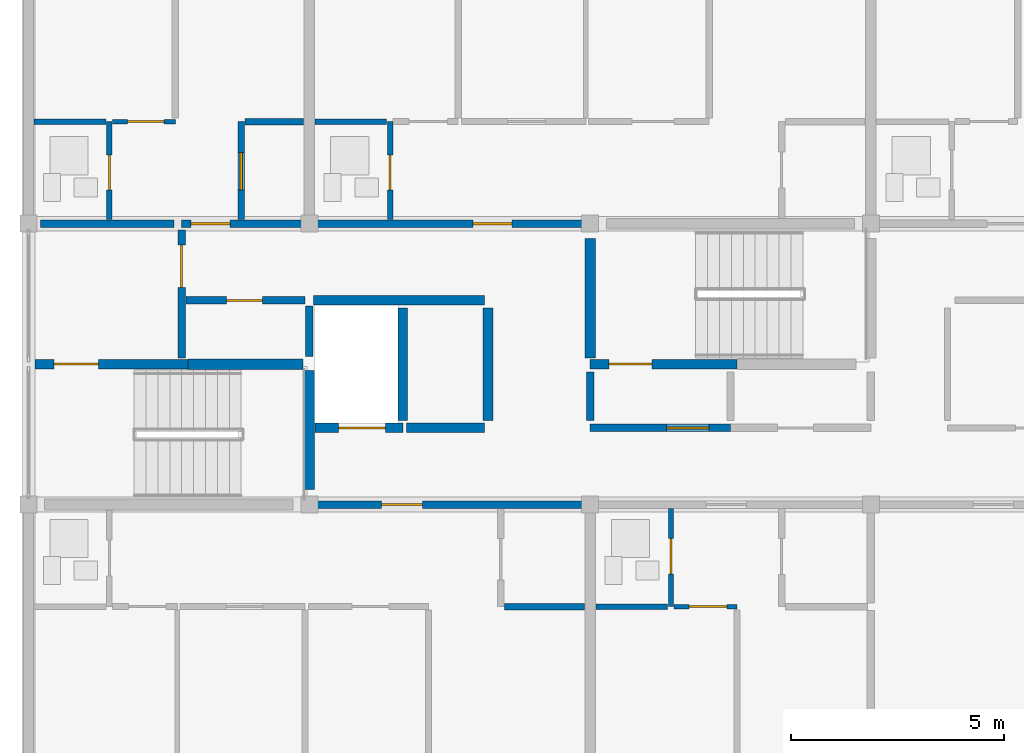
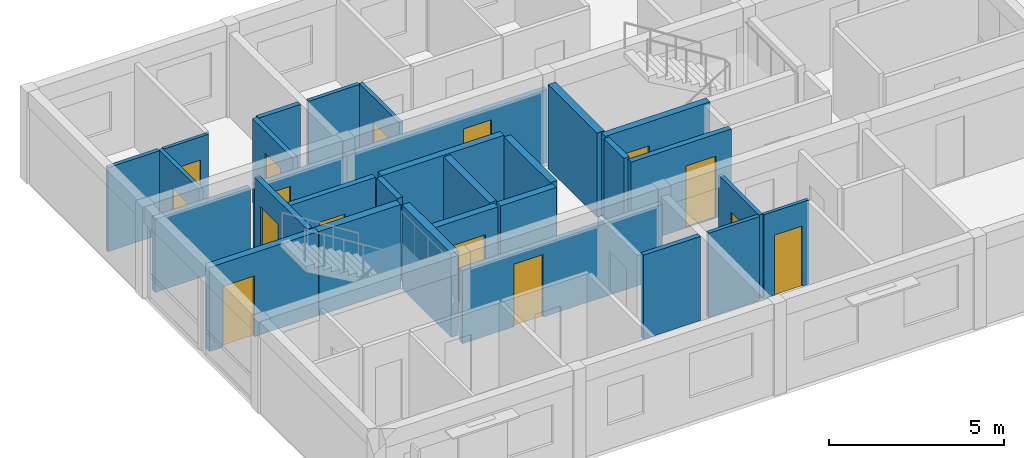
# One storey, part 8 of 12: 30 walls, 15 doors, 15 openings.
"""IFC4 building model written with IfcOpenShell, lengths in metres."""

from ifc_helpers import new_model, si_unit, direction, frame, frame_2d, origin, place, context, subcontext, project, spatial, rectangle, extrude, material, layer, layer_set, type_object, element, fill, save


model = new_model("IFC4")

# Units and contexts
model_context = context("Model", 3, precision=1e-05, world=origin(), true_north=direction((0.0, 1.0)))
body_context = subcontext(model_context, "Body", "Model", "MODEL_VIEW")
ifc_project = project(units=[si_unit("LENGTHUNIT", "METRE"), si_unit("AREAUNIT", "SQUARE_METRE"), si_unit("VOLUMEUNIT", "CUBIC_METRE"), si_unit("PLANEANGLEUNIT", "RADIAN"), si_unit("MASSUNIT", "GRAM", prefix="KILO")], contexts=[model_context])

# Site, building, storey
site_placement = place(None, origin())
site = spatial("IfcSite", under=ifc_project, at=site_placement, CompositionType="ELEMENT")
building_placement = place(site_placement, origin())
building = spatial("IfcBuilding", under=site, at=building_placement, Name="Kernevlak Ridge Housing Community", CompositionType="ELEMENT")
storey_placement = place(building_placement, frame((0.0, 0.0, 56.39990234375)))
storey = spatial("IfcBuildingStorey", under=building, at=storey_placement, Name="L17", CompositionType="ELEMENT", Elevation=56.39990234375)

# Wall, opening, door
ifc_material_1 = material(Name="Concrete C35/45", Category="concrete")
ifc_layer_1 = layer(ifc_material_1, 0.22509765625, Name="Concrete C35/45")
ifc_layer_set_1 = layer_set([ifc_layer_1], Name="Concrete C35/45")
wall_type_1 = type_object("IfcWallType", Name="PW-01", PredefinedType="STANDARD", material=ifc_layer_set_1)
wall_1_placement = place(storey_placement, frame((15.75, 85.89990234375, 0.0), z_axis=(0.0, 0.0, 1.0), x_axis=(1.0, 0.0, 0.0)))
wall_1 = element("IfcWall", 1, at=wall_1_placement, inside=storey, type_object=wall_type_1, Name="Interior wall PW-01 WAL-INT-L17-1071", PredefinedType="STANDARD", context=body_context, shape_type="SweptSolid", body=[
    extrude(rectangle(XDim=3.60009765625, YDim=0.22509765625, at=frame_2d((1.800048828125, 0.0))), origin(), (0.0, 0.0, 1.0), 2.93017578125),
])
opening_1_placement = place(wall_1_placement, frame((0.449951171875, 0.0, 0.0)))
opening_1 = element("IfcOpeningElement", 2, at=opening_1_placement, cuts=wall_1, Name="Opening D543", PredefinedType="OPENING", context=body_context, shape_type="SweptSolid", body=[
    extrude(rectangle(XDim=1.0400390625, YDim=2.1201171875, at=frame_2d((0.52001953125, 1.06005859375))), frame((0.0, 0.12255859375, 0.0), z_axis=(0.0, -1.0, 0.0), x_axis=(1.0, 0.0, 0.0)), (0.0, 0.0, 1.0), 0.2451171875),
])
ifc_material_2 = material(Name="Fire-rated sheet steel leaf", Category="steel")
door_type_1 = type_object("IfcDoorType", Name="DT-16", OperationType="NOTDEFINED", PredefinedType="DOOR", material=ifc_material_2)
door_1_placement = place(opening_1_placement, origin())
door_1 = element("IfcDoor", 3, at=door_1_placement, inside=storey, type_object=door_type_1, Name="Block A Stair 1 fire door D543", OperationType="SINGLE_SWING_LEFT", OverallHeight=2.1201171875, OverallWidth=1.0400390625, PredefinedType="DOOR", context=body_context, shape_type="SweptSolid", body=[
    extrude(rectangle(XDim=1.0400390625, YDim=2.1201171875, at=frame_2d((0.52001953125, 1.06005859375))), frame((0.0, 0.02490234375, 0.0), z_axis=(0.0, -1.0, 0.0), x_axis=(1.0, 0.0, 0.0)), (0.0, 0.0, 1.0), 0.050048828125),
])
fill(opening_1, door_1)

wall_2_placement = place(storey_placement, frame((22.3349609375, 84.39990234375, 0.0), z_axis=(0.0, 0.0, 1.0), x_axis=(1.0, 0.0, 0.0)))
wall_2 = element("IfcWall", 4, at=wall_2_placement, inside=storey, type_object=wall_type_1, Name="Interior wall PW-01 WAL-INT-L17-1075", PredefinedType="STANDARD", context=body_context, shape_type="SweptSolid", body=[
    extrude(rectangle(XDim=2.06494140625, YDim=0.22509765625, at=frame_2d((1.032470703125, 0.0))), origin(), (0.0, 0.0, 1.0), 2.93017578125),
])
opening_2_placement = place(wall_2_placement, frame((0.550048828125, 0.0, 0.0)))
opening_2 = element("IfcOpeningElement", 5, at=opening_2_placement, cuts=wall_2, Name="Opening LD28", PredefinedType="OPENING", context=body_context, shape_type="SweptSolid", body=[
    extrude(rectangle(XDim=1.10009765625, YDim=2.10009765625, at=frame_2d((0.550048828125, 1.050048828125))), frame((0.0, 0.12255859375, 0.0), z_axis=(0.0, -1.0, 0.0), x_axis=(1.0, 0.0, 0.0)), (0.0, 0.0, 1.0), 0.2451171875),
])
ifc_material_3 = material(Name="Stainless steel EN 1.4401", Category="steel")
door_type_2 = type_object("IfcDoorType", Name="DT-LD1", OperationType="DOUBLE_DOOR_SLIDING", PredefinedType="DOOR", material=ifc_material_3)
door_2_placement = place(opening_2_placement, origin())
door_2 = element("IfcDoor", 6, at=door_2_placement, inside=storey, type_object=door_type_2, Name="Lift LF-A1 landing door LD28", OperationType="DOUBLE_DOOR_SLIDING", OverallHeight=2.10009765625, OverallWidth=1.10009765625, PredefinedType="DOOR", context=body_context, shape_type="SweptSolid", body=[
    extrude(rectangle(XDim=1.10009765625, YDim=2.10009765625, at=frame_2d((0.550048828125, 1.050048828125))), frame((0.0, 0.02490234375, 0.0), z_axis=(0.0, -1.0, 0.0), x_axis=(1.0, 0.0, 0.0)), (0.0, 0.0, 1.0), 0.050048828125),
])
fill(opening_2, door_2)

# Walls
wall_3_placement = place(storey_placement, frame((24.47998046875, 84.39990234375, 0.0), z_axis=(0.0, 0.0, 1.0), x_axis=(1.0, 0.0, 0.0)))
element("IfcWall", 7, at=wall_3_placement, inside=storey, type_object=wall_type_1, Name="Interior wall PW-01 WAL-INT-L17-1076", PredefinedType="STANDARD", context=body_context, shape_type="SweptSolid", body=[
    extrude(rectangle(XDim=1.840087890625, YDim=0.22509765625, at=frame_2d((0.919921875, 0.0))), origin(), (0.0, 0.0, 1.0), 2.93017578125),
])
wall_4_placement = place(storey_placement, frame((22.297607421875, 87.39990234375, 0.0), z_axis=(0.0, 0.0, 1.0), x_axis=(1.0, 0.0, 0.0)))
element("IfcWall", 8, at=wall_4_placement, inside=storey, type_object=wall_type_1, Name="Interior wall PW-01 WAL-INT-L17-1077", PredefinedType="STANDARD", context=body_context, shape_type="SweptSolid", body=[
    extrude(rectangle(XDim=4.0224609375, YDim=0.22509765625, at=frame_2d((2.01123046875, 0.0))), origin(), (0.0, 0.0, 1.0), 2.93017578125),
])
for number, where, z_axis, x_axis, name in (
    (9, (24.39990234375, 84.580078125, 0.0), (0.0, 0.0, 1.0), (0.0, 1.0, 0.0), "Interior wall PW-01 WAL-INT-L17-1079"),
    (10, (26.39990234375, 84.580078125, 0.0), (0.0, 0.0, 1.0), (0.0, 1.0, 0.0), "Interior wall PW-01 WAL-INT-L17-1080"),
):
    element("IfcWall", number, at=place(storey_placement, frame(where, z_axis=z_axis, x_axis=x_axis)), inside=storey, type_object=wall_type_1, Name=name, PredefinedType="STANDARD", context=body_context, shape_type="SweptSolid", body=[
        extrude(rectangle(XDim=2.639892578125, YDim=0.22509765625, at=frame_2d((1.31982421875, 0.0))), origin(), (0.0, 0.0, 1.0), 2.93017578125),
    ])

# Wall, opening, door
wall_5_placement = place(storey_placement, frame((28.800048828125, 85.89990234375, 0.0), z_axis=(0.0, 0.0, 1.0), x_axis=(1.0, 0.0, 0.0)))
wall_5 = element("IfcWall", 11, at=wall_5_placement, inside=storey, type_object=wall_type_1, Name="Interior wall PW-01 WAL-INT-L17-1081", PredefinedType="STANDARD", context=body_context, shape_type="SweptSolid", body=[
    extrude(rectangle(XDim=3.449951171875, YDim=0.22509765625, at=frame_2d((1.72509765625, 0.0))), origin(), (0.0, 0.0, 1.0), 2.93017578125),
])
opening_3_placement = place(wall_5_placement, frame((0.449951171875, 0.0, 0.0)))
opening_3 = element("IfcOpeningElement", 12, at=opening_3_placement, cuts=wall_5, Name="Opening D546", PredefinedType="OPENING", context=body_context, shape_type="SweptSolid", body=[
    extrude(rectangle(XDim=1.0, YDim=2.10009765625, at=frame_2d((0.5, 1.050048828125))), frame((0.0, 0.12255859375, 0.0), z_axis=(0.0, -1.0, 0.0), x_axis=(1.0, 0.0, 0.0)), (0.0, 0.0, 1.0), 0.2451171875),
])
door_type_3 = type_object("IfcDoorType", Name="DT-05", OperationType="NOTDEFINED", PredefinedType="DOOR", material=ifc_material_2)
door_3_placement = place(opening_3_placement, origin())
door_3 = element("IfcDoor", 13, at=door_3_placement, inside=storey, type_object=door_type_3, Name="Block A Stair 2 fire door D546", OperationType="SINGLE_SWING_RIGHT", OverallHeight=2.10009765625, OverallWidth=1.0, PredefinedType="DOOR", context=body_context, shape_type="SweptSolid", body=[
    extrude(rectangle(XDim=1.0, YDim=2.10009765625, at=frame_2d((0.5, 1.050048828125))), frame((0.0, 0.02490234375, 0.0), z_axis=(0.0, -1.0, 0.0), x_axis=(1.0, 0.0, 0.0)), (0.0, 0.0, 1.0), 0.050048828125),
])
fill(opening_3, door_3)

ifc_material_4 = material(Name="Concrete block masonry M10", Category="masonry")
ifc_layer_2 = layer(ifc_material_4, 0.175048828125, Name="Concrete block masonry M10")
ifc_layer_set_2 = layer_set([ifc_layer_2], Name="Concrete block masonry M10")
wall_type_2 = type_object("IfcWallType", Name="PW-02", PredefinedType="PARTITIONING", material=ifc_layer_set_2)
wall_6_placement = place(storey_placement, frame((19.199951171875, 86.050048828125, 0.0), z_axis=(0.0, 0.0, 1.0), x_axis=(0.0, 1.0, 0.0)))
wall_6 = element("IfcWall", 14, at=wall_6_placement, inside=storey, type_object=wall_type_2, Name="Interior wall PW-02 WAL-INT-L17-1072", PredefinedType="PARTITIONING", context=body_context, shape_type="SweptSolid", body=[
    extrude(rectangle(XDim=3.0, YDim=0.175048828125, at=frame_2d((1.5, 0.0))), origin(), (0.0, 0.0, 1.0), 2.93017578125),
])
opening_4_placement = place(wall_6_placement, frame((1.64990234375, 0.0, 0.0)))
opening_4 = element("IfcOpeningElement", 15, at=opening_4_placement, cuts=wall_6, Name="Opening D544", PredefinedType="OPENING", context=body_context, shape_type="SweptSolid", body=[
    extrude(rectangle(XDim=1.0, YDim=2.10009765625, at=frame_2d((0.5, 1.050048828125))), frame((0.0, 0.097412109375, 0.0), z_axis=(0.0, -1.0, 0.0), x_axis=(1.0, 0.0, 0.0)), (0.0, 0.0, 1.0), 0.195068359375),
])
door_4_placement = place(opening_4_placement, origin())
door_4 = element("IfcDoor", 16, at=door_4_placement, inside=storey, type_object=door_type_3, Name="Block A Firefighting lobby 1 door D544", OperationType="SINGLE_SWING_RIGHT", OverallHeight=2.10009765625, OverallWidth=1.0, PredefinedType="DOOR", context=body_context, shape_type="SweptSolid", body=[
    extrude(rectangle(XDim=1.0, YDim=2.10009765625, at=frame_2d((0.5, 1.050048828125))), frame((0.0, 0.02490234375, 0.0), z_axis=(0.0, -1.0, 0.0), x_axis=(1.0, 0.0, 0.0)), (0.0, 0.0, 1.0), 0.050048828125),
])
fill(opening_4, door_4)

wall_7_placement = place(storey_placement, frame((19.300048828125, 87.39990234375, 0.0), z_axis=(0.0, 0.0, 1.0), x_axis=(1.0, 0.0, 0.0)))
wall_7 = element("IfcWall", 17, at=wall_7_placement, inside=storey, type_object=wall_type_2, Name="Interior wall PW-02 WAL-INT-L17-1073", PredefinedType="PARTITIONING", context=body_context, shape_type="SweptSolid", body=[
    extrude(rectangle(XDim=2.800048828125, YDim=0.175048828125, at=frame_2d((1.39990234375, 0.0))), origin(), (0.0, 0.0, 1.0), 2.93017578125),
])
opening_5_placement = place(wall_7_placement, frame((0.949951171875, 0.0, 0.0)))
opening_5 = element("IfcOpeningElement", 18, at=opening_5_placement, cuts=wall_7, Name="Opening D545", PredefinedType="OPENING", context=body_context, shape_type="SweptSolid", body=[
    extrude(rectangle(XDim=0.85009765625, YDim=2.0, at=frame_2d((0.425048828125, 1.0))), frame((0.0, 0.097412109375, 0.0), z_axis=(0.0, -1.0, 0.0), x_axis=(1.0, 0.0, 0.0)), (0.0, 0.0, 1.0), 0.195068359375),
])
door_type_4 = type_object("IfcDoorType", Name="DT-07", OperationType="NOTDEFINED", PredefinedType="DOOR", material=ifc_material_2)
door_5_placement = place(opening_5_placement, origin())
door_5 = element("IfcDoor", 19, at=door_5_placement, inside=storey, type_object=door_type_4, Name="Block A Riser shaft door D545", OperationType="SINGLE_SWING_LEFT", OverallHeight=2.0, OverallWidth=0.85009765625, PredefinedType="DOOR", context=body_context, shape_type="SweptSolid", body=[
    extrude(rectangle(XDim=0.85009765625, YDim=2.0, at=frame_2d((0.425048828125, 1.0))), frame((0.0, 0.02490234375, 0.0), z_axis=(0.0, -1.0, 0.0), x_axis=(1.0, 0.0, 0.0)), (0.0, 0.0, 1.0), 0.050048828125),
])
fill(opening_5, door_5)

# Wall
wall_8_placement = place(storey_placement, frame((22.199951171875, 86.080078125, 0.0), z_axis=(0.0, 0.0, 1.0), x_axis=(0.0, 1.0, 0.0)))
element("IfcWall", 20, at=wall_8_placement, inside=storey, type_object=wall_type_2, Name="Interior wall PW-02 WAL-INT-L17-1074", PredefinedType="PARTITIONING", context=body_context, shape_type="SweptSolid", body=[
    extrude(rectangle(XDim=1.18994140625, YDim=0.175048828125, at=frame_2d((0.594970703125, 0.0))), origin(), (0.0, 0.0, 1.0), 2.93017578125),
])

# Wall, opening, door
wall_9_placement = place(storey_placement, frame((28.800048828125, 84.39990234375, 0.0), z_axis=(0.0, 0.0, 1.0), x_axis=(1.0, 0.0, 0.0)))
wall_9 = element("IfcWall", 21, at=wall_9_placement, inside=storey, type_object=wall_type_2, Name="Interior wall PW-02 WAL-INT-L17-1082", PredefinedType="PARTITIONING", context=body_context, shape_type="SweptSolid", body=[
    extrude(rectangle(XDim=3.300048828125, YDim=0.175048828125, at=frame_2d((1.64990234375, 0.0))), origin(), (0.0, 0.0, 1.0), 2.93017578125),
])
opening_6_placement = place(wall_9_placement, frame((1.800048828125, 0.0, 0.0)))
opening_6 = element("IfcOpeningElement", 22, at=opening_6_placement, cuts=wall_9, Name="Opening D547", PredefinedType="OPENING", context=body_context, shape_type="SweptSolid", body=[
    extrude(rectangle(XDim=1.0, YDim=2.159912109375, at=frame_2d((0.5, 1.080078125))), frame((0.0, 0.097412109375, 0.0), z_axis=(0.0, -1.0, 0.0), x_axis=(1.0, 0.0, 0.0)), (0.0, 0.0, 1.0), 0.195068359375),
])
door_type_5 = type_object("IfcDoorType", Name="DT-15", OperationType="NOTDEFINED", PredefinedType="DOOR", material=ifc_material_2)
door_6_placement = place(opening_6_placement, origin())
door_6 = element("IfcDoor", 23, at=door_6_placement, inside=storey, type_object=door_type_5, Name="Block A Firefighting lobby 2 door D547", OperationType="SINGLE_SWING_LEFT", OverallHeight=2.159912109375, OverallWidth=1.0, PredefinedType="DOOR", context=body_context, shape_type="SweptSolid", body=[
    extrude(rectangle(XDim=1.0, YDim=2.159912109375, at=frame_2d((0.5, 1.080078125))), frame((0.0, 0.02490234375, 0.0), z_axis=(0.0, -1.0, 0.0), x_axis=(1.0, 0.0, 0.0)), (0.0, 0.0, 1.0), 0.050048828125),
])
fill(opening_6, door_6)

# Wall
wall_10_placement = place(storey_placement, frame((28.800048828125, 84.580078125, 0.0), z_axis=(0.0, 0.0, 1.0), x_axis=(0.0, 1.0, 0.0)))
element("IfcWall", 24, at=wall_10_placement, inside=storey, type_object=wall_type_2, Name="Interior wall PW-02 WAL-INT-L17-1084", PredefinedType="PARTITIONING", context=body_context, shape_type="SweptSolid", body=[
    extrude(rectangle(XDim=1.139892578125, YDim=0.175048828125, at=frame_2d((0.56982421875, 0.0))), origin(), (0.0, 0.0, 1.0), 2.93017578125),
])

# Wall, opening, door
wall_11_placement = place(storey_placement, frame((22.199951171875, 82.60009765625, 0.0), z_axis=(0.0, 0.0, 1.0), x_axis=(1.0, 0.0, 0.0)))
wall_11 = element("IfcWall", 25, at=wall_11_placement, inside=storey, type_object=wall_type_2, Name="Interior wall PW-02 WAL-INT-L17-1090", PredefinedType="PARTITIONING", context=body_context, shape_type="SweptSolid", body=[
    extrude(rectangle(XDim=6.60009765625, YDim=0.175048828125, at=frame_2d((3.300048828125, 0.0))), origin(), (0.0, 0.0, 1.0), 2.550048828125),
])
opening_7_placement = place(wall_11_placement, frame((1.699951171875, 0.0, 0.0)))
opening_7 = element("IfcOpeningElement", 26, at=opening_7_placement, cuts=wall_11, Name="Opening D551", PredefinedType="OPENING", context=body_context, shape_type="SweptSolid", body=[
    extrude(rectangle(XDim=0.9599609375, YDim=2.179931640625, at=frame_2d((0.47998046875, 1.08984375))), frame((0.0, 0.097412109375, 0.0), z_axis=(0.0, -1.0, 0.0), x_axis=(1.0, 0.0, 0.0)), (0.0, 0.0, 1.0), 0.195068359375),
])
ifc_material_5 = material(Name="Hardwood timber solid-core fire leaf", Category="wood")
door_type_6 = type_object("IfcDoorType", Name="DT-29", OperationType="NOTDEFINED", PredefinedType="DOOR", material=ifc_material_5)
door_7_placement = place(opening_7_placement, origin())
door_7 = element("IfcDoor", 27, at=door_7_placement, inside=storey, type_object=door_type_6, Name="Flat A1711 entrance fire door D551", OperationType="SINGLE_SWING_LEFT", OverallHeight=2.179931640625, OverallWidth=0.9599609375, PredefinedType="DOOR", context=body_context, shape_type="SweptSolid", body=[
    extrude(rectangle(XDim=0.9599609375, YDim=2.179931640625, at=frame_2d((0.47998046875, 1.08984375))), frame((0.0, 0.02490234375, 0.0), z_axis=(0.0, -1.0, 0.0), x_axis=(1.0, 0.0, 0.0)), (0.0, 0.0, 1.0), 0.050048828125),
])
fill(opening_7, door_7)

# Wall
wall_12_placement = place(storey_placement, frame((15.8798828125, 89.199951171875, 0.0), z_axis=(0.0, 0.0, 1.0), x_axis=(1.0, 0.0, 0.0)))
element("IfcWall", 28, at=wall_12_placement, inside=storey, type_object=wall_type_2, Name="Interior wall PW-02 WAL-INT-L17-1110", PredefinedType="PARTITIONING", context=body_context, shape_type="SweptSolid", body=[
    extrude(rectangle(XDim=3.14013671875, YDim=0.175048828125, at=frame_2d((1.570068359375, 0.0))), origin(), (0.0, 0.0, 1.0), 2.550048828125),
])

# Wall, opening, door
wall_13_placement = place(storey_placement, frame((19.199951171875, 89.199951171875, 0.0), z_axis=(0.0, 0.0, 1.0), x_axis=(1.0, 0.0, 0.0)))
wall_13 = element("IfcWall", 29, at=wall_13_placement, inside=storey, type_object=wall_type_2, Name="Interior wall PW-02 WAL-INT-L17-1111", PredefinedType="PARTITIONING", context=body_context, shape_type="SweptSolid", body=[
    extrude(rectangle(XDim=3.0, YDim=0.175048828125, at=frame_2d((1.5, 0.0))), origin(), (0.0, 0.0, 1.0), 2.550048828125),
])
opening_8_placement = place(wall_13_placement, frame((0.219970703125, 0.0, 0.0)))
opening_8 = element("IfcOpeningElement", 30, at=opening_8_placement, cuts=wall_13, Name="Opening D562", PredefinedType="OPENING", context=body_context, shape_type="SweptSolid", body=[
    extrude(rectangle(XDim=0.919921875, YDim=2.139892578125, at=frame_2d((0.4599609375, 1.06982421875))), frame((0.0, 0.097412109375, 0.0), z_axis=(0.0, -1.0, 0.0), x_axis=(1.0, 0.0, 0.0)), (0.0, 0.0, 1.0), 0.195068359375),
])
door_type_7 = type_object("IfcDoorType", Name="DT-20", OperationType="NOTDEFINED", PredefinedType="DOOR", material=ifc_material_5)
door_8_placement = place(opening_8_placement, origin())
door_8 = element("IfcDoor", 31, at=door_8_placement, inside=storey, type_object=door_type_7, Name="Flat A1721 entrance fire door D562", OperationType="SINGLE_SWING_RIGHT", OverallHeight=2.139892578125, OverallWidth=0.919921875, PredefinedType="DOOR", context=body_context, shape_type="SweptSolid", body=[
    extrude(rectangle(XDim=0.919921875, YDim=2.139892578125, at=frame_2d((0.4599609375, 1.06982421875))), frame((0.0, 0.02490234375, 0.0), z_axis=(0.0, -1.0, 0.0), x_axis=(1.0, 0.0, 0.0)), (0.0, 0.0, 1.0), 0.050048828125),
])
fill(opening_8, door_8)

wall_14_placement = place(storey_placement, frame((22.199951171875, 89.199951171875, 0.0), z_axis=(0.0, 0.0, 1.0), x_axis=(1.0, 0.0, 0.0)))
wall_14 = element("IfcWall", 32, at=wall_14_placement, inside=storey, type_object=wall_type_2, Name="Interior wall PW-02 WAL-INT-L17-1118", PredefinedType="PARTITIONING", context=body_context, shape_type="SweptSolid", body=[
    extrude(rectangle(XDim=6.60009765625, YDim=0.175048828125, at=frame_2d((3.300048828125, 0.0))), origin(), (0.0, 0.0, 1.0), 2.550048828125),
])
opening_9_placement = place(wall_14_placement, frame((3.85009765625, 0.0, 0.0)))
opening_9 = element("IfcOpeningElement", 33, at=opening_9_placement, cuts=wall_14, Name="Opening D566", PredefinedType="OPENING", context=body_context, shape_type="SweptSolid", body=[
    extrude(rectangle(XDim=0.919921875, YDim=2.139892578125, at=frame_2d((0.4599609375, 1.06982421875))), frame((0.0, 0.097412109375, 0.0), z_axis=(0.0, -1.0, 0.0), x_axis=(1.0, 0.0, 0.0)), (0.0, 0.0, 1.0), 0.195068359375),
])
door_9_placement = place(opening_9_placement, origin())
door_9 = element("IfcDoor", 34, at=door_9_placement, inside=storey, type_object=door_type_7, Name="Flat A1722 entrance fire door D566", OperationType="SINGLE_SWING_RIGHT", OverallHeight=2.139892578125, OverallWidth=0.919921875, PredefinedType="DOOR", context=body_context, shape_type="SweptSolid", body=[
    extrude(rectangle(XDim=0.919921875, YDim=2.139892578125, at=frame_2d((0.4599609375, 1.06982421875))), frame((0.0, 0.02490234375, 0.0), z_axis=(0.0, -1.0, 0.0), x_axis=(1.0, 0.0, 0.0)), (0.0, 0.0, 1.0), 0.050048828125),
])
fill(opening_9, door_9)

ifc_material_6 = material(Name="Gypsum plasterboard EN 520", Category="gypsum")
ifc_layer_3 = layer(ifc_material_6, 0.125, Name="Gypsum plasterboard EN 520")
ifc_layer_set_3 = layer_set([ifc_layer_3], Name="Gypsum plasterboard EN 520")
wall_type_3 = type_object("IfcWallType", Name="PW-04", PredefinedType="PARTITIONING", material=ifc_layer_set_3)
wall_15_placement = place(storey_placement, frame((30.699951171875, 82.50244140625, 0.0), z_axis=(0.0, 0.0, 1.0), x_axis=(0.0, -1.0, 0.0)))
wall_15 = element("IfcWall", 35, at=wall_15_placement, inside=storey, type_object=wall_type_3, Name="Interior wall PW-04 WAL-INT-L17-1102", PredefinedType="PARTITIONING", context=body_context, shape_type="SweptSolid", body=[
    extrude(rectangle(XDim=2.302490234375, YDim=0.125, at=frame_2d((1.1513671875, 0.0))), origin(), (0.0, 0.0, 1.0), 2.93017578125),
])
opening_10_placement = place(wall_15_placement, frame((0.699951171875, 0.0, 0.0)))
opening_10 = element("IfcOpeningElement", 36, at=opening_10_placement, cuts=wall_15, Name="Opening D558", PredefinedType="OPENING", context=body_context, shape_type="SweptSolid", body=[
    extrude(rectangle(XDim=0.840087890625, YDim=2.06005859375, at=frame_2d((0.419921875, 1.030029296875))), frame((0.0, 0.072509765625, 0.0), z_axis=(0.0, -1.0, 0.0), x_axis=(1.0, 0.0, 0.0)), (0.0, 0.0, 1.0), 0.14501953125),
])
ifc_material_7 = material(Name="Hardwood timber moisture-resistant leaf", Category="wood")
door_type_8 = type_object("IfcDoorType", Name="DT-27", OperationType="NOTDEFINED", PredefinedType="DOOR", material=ifc_material_7)
door_10_placement = place(opening_10_placement, origin())
door_10 = element("IfcDoor", 37, at=door_10_placement, inside=storey, type_object=door_type_8, Name="Flat A1712 bathroom door D558", OperationType="SINGLE_SWING_RIGHT", OverallHeight=2.06005859375, OverallWidth=0.840087890625, PredefinedType="DOOR", context=body_context, shape_type="SweptSolid", body=[
    extrude(rectangle(XDim=0.840087890625, YDim=2.06005859375, at=frame_2d((0.419921875, 1.030029296875))), frame((0.0, 0.02490234375, 0.0), z_axis=(0.0, -1.0, 0.0), x_axis=(1.0, 0.0, 0.0)), (0.0, 0.0, 1.0), 0.050048828125),
])
fill(opening_10, door_10)

# Wall
wall_16_placement = place(storey_placement, frame((28.93505859375, 80.199951171875, 0.0), z_axis=(0.0, 0.0, 1.0), x_axis=(1.0, 0.0, 0.0)))
element("IfcWall", 38, at=wall_16_placement, inside=storey, type_object=wall_type_3, Name="Interior wall PW-04 WAL-INT-L17-1103", PredefinedType="PARTITIONING", context=body_context, shape_type="SweptSolid", body=[
    extrude(rectangle(XDim=1.68505859375, YDim=0.125, at=frame_2d((0.842529296875, 0.0))), origin(), (0.0, 0.0, 1.0), 2.93017578125),
])

# Wall, opening, door
wall_17_placement = place(storey_placement, frame((17.5, 89.297607421875, 0.0), z_axis=(0.0, 0.0, 1.0), x_axis=(0.0, 1.0, 0.0)))
wall_17 = element("IfcWall", 39, at=wall_17_placement, inside=storey, type_object=wall_type_3, Name="Interior wall PW-04 WAL-INT-L17-1112", PredefinedType="PARTITIONING", context=body_context, shape_type="SweptSolid", body=[
    extrude(rectangle(XDim=2.302490234375, YDim=0.125, at=frame_2d((1.1513671875, 0.0))), origin(), (0.0, 0.0, 1.0), 2.93017578125),
])
opening_11_placement = place(wall_17_placement, frame((0.699951171875, 0.0, 0.0)))
opening_11 = element("IfcOpeningElement", 40, at=opening_11_placement, cuts=wall_17, Name="Opening D563", PredefinedType="OPENING", context=body_context, shape_type="SweptSolid", body=[
    extrude(rectangle(XDim=0.820068359375, YDim=2.050048828125, at=frame_2d((0.41015625, 1.02490234375))), frame((0.0, 0.072509765625, 0.0), z_axis=(0.0, -1.0, 0.0), x_axis=(1.0, 0.0, 0.0)), (0.0, 0.0, 1.0), 0.14501953125),
])
door_type_9 = type_object("IfcDoorType", Name="DT-30", OperationType="NOTDEFINED", PredefinedType="DOOR", material=ifc_material_7)
door_11_placement = place(opening_11_placement, origin())
door_11 = element("IfcDoor", 41, at=door_11_placement, inside=storey, type_object=door_type_9, Name="Flat A1721 bathroom door D563", OperationType="SINGLE_SWING_LEFT", OverallHeight=2.050048828125, OverallWidth=0.820068359375, PredefinedType="DOOR", context=body_context, shape_type="SweptSolid", body=[
    extrude(rectangle(XDim=0.820068359375, YDim=2.050048828125, at=frame_2d((0.41015625, 1.02490234375))), frame((0.0, 0.02490234375, 0.0), z_axis=(0.0, -1.0, 0.0), x_axis=(1.0, 0.0, 0.0)), (0.0, 0.0, 1.0), 0.050048828125),
])
fill(opening_11, door_11)

# Wall
wall_18_placement = place(storey_placement, frame((15.72998046875, 91.60009765625, 0.0), z_axis=(0.0, 0.0, 1.0), x_axis=(1.0, 0.0, 0.0)))
element("IfcWall", 42, at=wall_18_placement, inside=storey, type_object=wall_type_3, Name="Interior wall PW-04 WAL-INT-L17-1113", PredefinedType="PARTITIONING", context=body_context, shape_type="SweptSolid", body=[
    extrude(rectangle(XDim=1.68994140625, YDim=0.125, at=frame_2d((0.844970703125, 0.0))), origin(), (0.0, 0.0, 1.0), 2.93017578125),
])

# Wall, opening, door
wall_19_placement = place(storey_placement, frame((24.10009765625, 89.297607421875, 0.0), z_axis=(0.0, 0.0, 1.0), x_axis=(0.0, 1.0, 0.0)))
wall_19 = element("IfcWall", 43, at=wall_19_placement, inside=storey, type_object=wall_type_3, Name="Interior wall PW-04 WAL-INT-L17-1119", PredefinedType="PARTITIONING", context=body_context, shape_type="SweptSolid", body=[
    extrude(rectangle(XDim=2.302490234375, YDim=0.125, at=frame_2d((1.1513671875, 0.0))), origin(), (0.0, 0.0, 1.0), 2.93017578125),
])
opening_12_placement = place(wall_19_placement, frame((0.699951171875, 0.0, 0.0)))
opening_12 = element("IfcOpeningElement", 44, at=opening_12_placement, cuts=wall_19, Name="Opening D567", PredefinedType="OPENING", context=body_context, shape_type="SweptSolid", body=[
    extrude(rectangle(XDim=0.820068359375, YDim=2.050048828125, at=frame_2d((0.41015625, 1.02490234375))), frame((0.0, 0.072509765625, 0.0), z_axis=(0.0, -1.0, 0.0), x_axis=(1.0, 0.0, 0.0)), (0.0, 0.0, 1.0), 0.14501953125),
])
door_12_placement = place(opening_12_placement, origin())
door_12 = element("IfcDoor", 45, at=door_12_placement, inside=storey, type_object=door_type_9, Name="Flat A1722 bathroom door D567", OperationType="SINGLE_SWING_LEFT", OverallHeight=2.050048828125, OverallWidth=0.820068359375, PredefinedType="DOOR", context=body_context, shape_type="SweptSolid", body=[
    extrude(rectangle(XDim=0.820068359375, YDim=2.050048828125, at=frame_2d((0.41015625, 1.02490234375))), frame((0.0, 0.02490234375, 0.0), z_axis=(0.0, -1.0, 0.0), x_axis=(1.0, 0.0, 0.0)), (0.0, 0.0, 1.0), 0.050048828125),
])
fill(opening_12, door_12)

# Walls
wall_20_placement = place(storey_placement, frame((22.3349609375, 91.60009765625, 0.0), z_axis=(0.0, 0.0, 1.0), x_axis=(1.0, 0.0, 0.0)))
element("IfcWall", 46, at=wall_20_placement, inside=storey, type_object=wall_type_3, Name="Interior wall PW-04 WAL-INT-L17-1120", PredefinedType="PARTITIONING", context=body_context, shape_type="SweptSolid", body=[
    extrude(rectangle(XDim=1.68505859375, YDim=0.125, at=frame_2d((0.842529296875, 0.0))), origin(), (0.0, 0.0, 1.0), 2.93017578125),
])
ifc_layer_4 = layer(ifc_material_6, 0.155029296875, Name="Gypsum plasterboard EN 520")
ifc_layer_set_4 = layer_set([ifc_layer_4], Name="Gypsum plasterboard EN 520")
wall_type_4 = type_object("IfcWallType", Name="PW-05", PredefinedType="PARTITIONING", material=ifc_layer_set_4)
wall_21_placement = place(storey_placement, frame((26.78759765625, 80.199951171875, 0.0), z_axis=(0.0, 0.0, 1.0), x_axis=(1.0, 0.0, 0.0)))
element("IfcWall", 47, at=wall_21_placement, inside=storey, type_object=wall_type_4, Name="Interior wall PW-05 WAL-INT-L17-1094", PredefinedType="PARTITIONING", context=body_context, shape_type="SweptSolid", body=[
    extrude(rectangle(XDim=1.87744140625, YDim=0.155029296875, at=frame_2d((0.938720703125, 0.0))), origin(), (0.0, 0.0, 1.0), 2.93017578125),
])

# Wall, opening, door
wall_22_placement = place(storey_placement, frame((20.60009765625, 89.297607421875, 0.0), z_axis=(0.0, 0.0, 1.0), x_axis=(0.0, 1.0, 0.0)))
wall_22 = element("IfcWall", 48, at=wall_22_placement, inside=storey, type_object=wall_type_4, Name="Interior wall PW-05 WAL-INT-L17-1114", PredefinedType="PARTITIONING", context=body_context, shape_type="SweptSolid", body=[
    extrude(rectangle(XDim=2.302490234375, YDim=0.155029296875, at=frame_2d((1.1513671875, 0.0))), origin(), (0.0, 0.0, 1.0), 2.93017578125),
])
opening_13_placement = place(wall_22_placement, frame((0.699951171875, 0.0, 0.0)))
opening_13 = element("IfcOpeningElement", 49, at=opening_13_placement, cuts=wall_22, Name="Opening D564", PredefinedType="OPENING", context=body_context, shape_type="SweptSolid", body=[
    extrude(rectangle(XDim=0.8798828125, YDim=2.159912109375, at=frame_2d((0.43994140625, 1.080078125))), frame((0.0, 0.08740234375, 0.0), z_axis=(0.0, -1.0, 0.0), x_axis=(1.0, 0.0, 0.0)), (0.0, 0.0, 1.0), 0.175048828125),
])
ifc_material_8 = material(Name="Hardwood timber leaf", Category="wood")
door_type_10 = type_object("IfcDoorType", Name="DT-26", OperationType="NOTDEFINED", PredefinedType="DOOR", material=ifc_material_8)
door_13_placement = place(opening_13_placement, origin())
door_13 = element("IfcDoor", 50, at=door_13_placement, inside=storey, type_object=door_type_10, Name="Flat A1721 kitchen door D564", OperationType="SINGLE_SWING_RIGHT", OverallHeight=2.159912109375, OverallWidth=0.8798828125, PredefinedType="DOOR", context=body_context, shape_type="SweptSolid", body=[
    extrude(rectangle(XDim=0.8798828125, YDim=2.159912109375, at=frame_2d((0.43994140625, 1.080078125))), frame((0.0, 0.02490234375, 0.0), z_axis=(0.0, -1.0, 0.0), x_axis=(1.0, 0.0, 0.0)), (0.0, 0.0, 1.0), 0.050048828125),
])
fill(opening_13, door_13)

# Wall
wall_23_placement = place(storey_placement, frame((20.6875, 91.60009765625, 0.0), z_axis=(0.0, 0.0, 1.0), x_axis=(1.0, 0.0, 0.0)))
element("IfcWall", 51, at=wall_23_placement, inside=storey, type_object=wall_type_4, Name="Interior wall PW-05 WAL-INT-L17-1115", PredefinedType="PARTITIONING", context=body_context, shape_type="SweptSolid", body=[
    extrude(rectangle(XDim=1.37744140625, YDim=0.155029296875, at=frame_2d((0.688720703125, 0.0))), origin(), (0.0, 0.0, 1.0), 2.93017578125),
])

# Wall, opening, door
ifc_layer_5 = layer(ifc_material_6, 0.10498046875, Name="Gypsum plasterboard EN 520")
ifc_layer_set_5 = layer_set([ifc_layer_5], Name="Gypsum plasterboard EN 520")
wall_type_5 = type_object("IfcWallType", Name="PW-06", PredefinedType="PARTITIONING", material=ifc_layer_set_5)
wall_24_placement = place(storey_placement, frame((30.7724609375, 80.199951171875, 0.0), z_axis=(0.0, 0.0, 1.0), x_axis=(1.0, 0.0, 0.0)))
wall_24 = element("IfcWall", 52, at=wall_24_placement, inside=storey, type_object=wall_type_5, Name="Interior wall PW-06 WAL-INT-L17-1106", PredefinedType="PARTITIONING", context=body_context, shape_type="SweptSolid", body=[
    extrude(rectangle(XDim=1.4775390625, YDim=0.10498046875, at=frame_2d((0.73876953125, 0.0))), origin(), (0.0, 0.0, 1.0), 2.93017578125),
])
opening_14_placement = place(wall_24_placement, frame((0.35009765625, 0.0, 0.0)))
opening_14 = element("IfcOpeningElement", 53, at=opening_14_placement, cuts=wall_24, Name="Opening D560", PredefinedType="OPENING", context=body_context, shape_type="SweptSolid", body=[
    extrude(rectangle(XDim=0.89990234375, YDim=2.10009765625, at=frame_2d((0.449951171875, 1.050048828125))), frame((0.0, 0.0625, 0.0), z_axis=(0.0, -1.0, 0.0), x_axis=(1.0, 0.0, 0.0)), (0.0, 0.0, 1.0), 0.125),
])
door_type_11 = type_object("IfcDoorType", Name="DT-21", OperationType="NOTDEFINED", PredefinedType="DOOR", material=ifc_material_8)
door_14_placement = place(opening_14_placement, origin())
door_14 = element("IfcDoor", 54, at=door_14_placement, inside=storey, type_object=door_type_11, Name="Flat A1712 bedroom door D560", OperationType="SINGLE_SWING_RIGHT", OverallHeight=2.10009765625, OverallWidth=0.89990234375, PredefinedType="DOOR", context=body_context, shape_type="SweptSolid", body=[
    extrude(rectangle(XDim=0.89990234375, YDim=2.10009765625, at=frame_2d((0.449951171875, 1.050048828125))), frame((0.0, 0.02490234375, 0.0), z_axis=(0.0, -1.0, 0.0), x_axis=(1.0, 0.0, 0.0)), (0.0, 0.0, 1.0), 0.050048828125),
])
fill(opening_14, door_14)

wall_25_placement = place(storey_placement, frame((17.572509765625, 91.60009765625, 0.0), z_axis=(0.0, 0.0, 1.0), x_axis=(1.0, 0.0, 0.0)))
wall_25 = element("IfcWall", 55, at=wall_25_placement, inside=storey, type_object=wall_type_5, Name="Interior wall PW-06 WAL-INT-L17-1116", PredefinedType="PARTITIONING", context=body_context, shape_type="SweptSolid", body=[
    extrude(rectangle(XDim=1.4775390625, YDim=0.10498046875, at=frame_2d((0.73876953125, 0.0))), origin(), (0.0, 0.0, 1.0), 2.93017578125),
])
opening_15_placement = place(wall_25_placement, frame((0.35009765625, 0.0, 0.0)))
opening_15 = element("IfcOpeningElement", 56, at=opening_15_placement, cuts=wall_25, Name="Opening D565", PredefinedType="OPENING", context=body_context, shape_type="SweptSolid", body=[
    extrude(rectangle(XDim=0.860107421875, YDim=2.1201171875, at=frame_2d((0.43017578125, 1.06005859375))), frame((0.0, 0.0625, 0.0), z_axis=(0.0, -1.0, 0.0), x_axis=(1.0, 0.0, 0.0)), (0.0, 0.0, 1.0), 0.125),
])
door_type_12 = type_object("IfcDoorType", Name="DT-28", OperationType="NOTDEFINED", PredefinedType="DOOR", material=ifc_material_8)
door_15_placement = place(opening_15_placement, origin())
door_15 = element("IfcDoor", 57, at=door_15_placement, inside=storey, type_object=door_type_12, Name="Flat A1721 bedroom door D565", OperationType="SINGLE_SWING_LEFT", OverallHeight=2.1201171875, OverallWidth=0.860107421875, PredefinedType="DOOR", context=body_context, shape_type="SweptSolid", body=[
    extrude(rectangle(XDim=0.860107421875, YDim=2.1201171875, at=frame_2d((0.43017578125, 1.06005859375))), frame((0.0, 0.02490234375, 0.0), z_axis=(0.0, -1.0, 0.0), x_axis=(1.0, 0.0, 0.0)), (0.0, 0.0, 1.0), 0.050048828125),
])
fill(opening_15, door_15)

# Walls
ifc_material_9 = material(Name="Concrete C40/50", Category="concrete")
ifc_layer_6 = layer(ifc_material_9, 0.25, Name="Concrete C40/50")
ifc_layer_set_6 = layer_set([ifc_layer_6], Name="Concrete C40/50")
wall_type_6 = type_object("IfcWallType", Name="SW-03", PredefinedType="SHEAR", material=ifc_layer_set_6)
wall_26_placement = place(storey_placement, frame((19.35009765625, 85.89990234375, 0.0), z_axis=(0.0, 0.0, 1.0), x_axis=(1.0, 0.0, 0.0)))
element("IfcWall", 58, at=wall_26_placement, inside=storey, type_object=wall_type_6, Name="Shear wall SW-03 Block A L17 182", PredefinedType="SHEAR", context=body_context, shape_type="SweptSolid", body=[
    extrude(rectangle(XDim=2.699951171875, YDim=0.25, at=frame_2d((1.35009765625, 0.0))), origin(), (0.0, 0.0, 1.0), 2.93017578125),
])
for number, where, z_axis, x_axis, name in (
    (59, (22.199951171875, 82.949951171875, 0.0), (0.0, 0.0, 1.0), (0.0, 1.0, 0.0), "Shear wall SW-03 Block A L17 183"),
    (60, (28.800048828125, 86.050048828125, 0.0), (0.0, 0.0, 1.0), (0.0, 1.0, 0.0), "Shear wall SW-03 Block A L17 186"),
):
    element("IfcWall", number, at=place(storey_placement, frame(where, z_axis=z_axis, x_axis=x_axis)), inside=storey, type_object=wall_type_6, Name=name, PredefinedType="SHEAR", context=body_context, shape_type="SweptSolid", body=[
        extrude(rectangle(XDim=2.800048828125, YDim=0.25, at=frame_2d((1.39990234375, 0.0))), origin(), (0.0, 0.0, 1.0), 2.93017578125),
    ])

save(model, "model.ifc")
